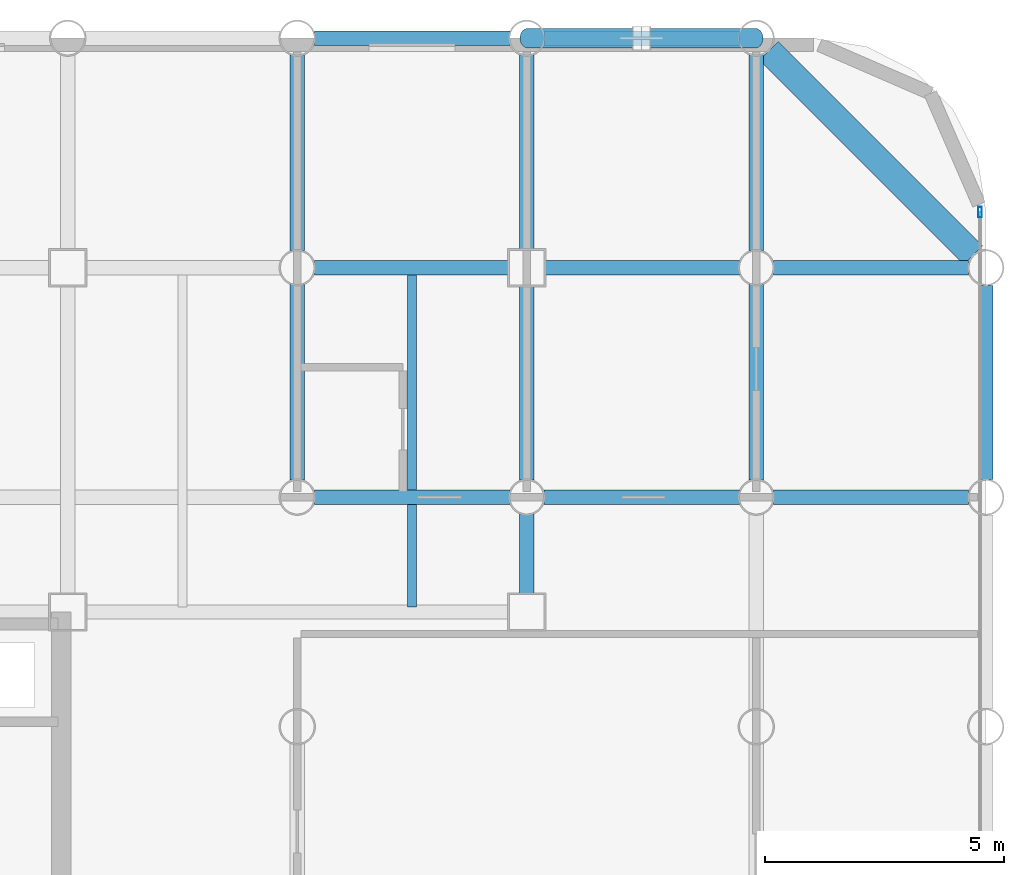
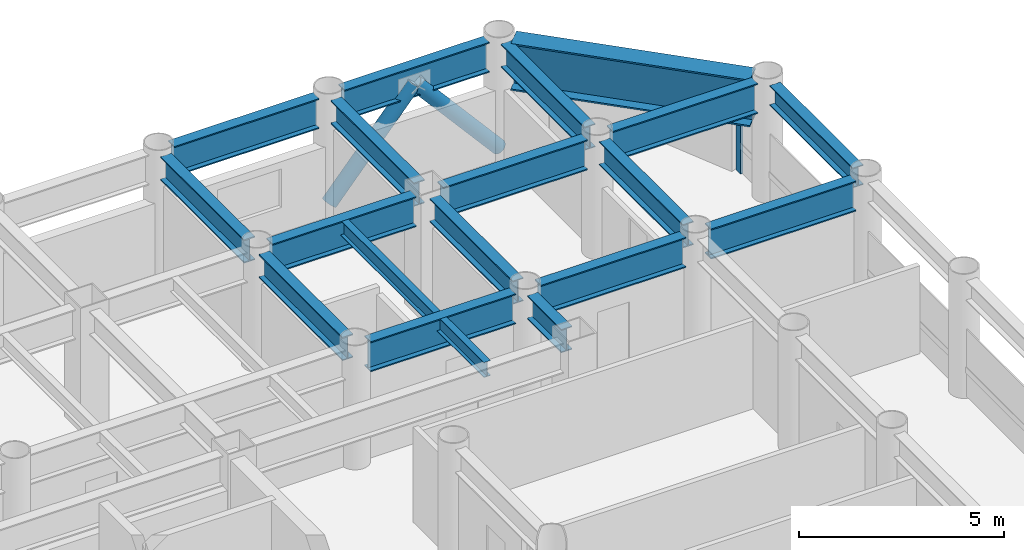
# One storey, part 13 of 19: 18 beams, 3 members, 1 element without a shape of its own.
"""IFC4 building model written with IfcOpenShell, lengths in metres."""

from ifc_helpers import new_model, si_unit, direction, frame, origin, origin_2d, place, context, subcontext, project, spatial, hollow_rectangle, hollow_circle, i_section, extrude, material, layer, layer_set, material_profile, profile_set, type_object, element, aggregate, save


model = new_model("IFC4")

# Units and contexts
model_context = context("Model", 3, precision=1e-05, world=origin(), true_north=direction((0.0, 1.0)))
body_context = subcontext(model_context, "Body", "Model", "MODEL_VIEW")
ifc_project = project(units=[si_unit("LENGTHUNIT", "METRE"), si_unit("AREAUNIT", "SQUARE_METRE"), si_unit("VOLUMEUNIT", "CUBIC_METRE"), si_unit("PLANEANGLEUNIT", "RADIAN"), si_unit("MASSUNIT", "GRAM", prefix="KILO")], contexts=[model_context])

# Site, building, storey
site_placement = place(None, origin())
site = spatial("IfcSite", under=ifc_project, at=site_placement, CompositionType="ELEMENT")
building_placement = place(site_placement, origin())
building = spatial("IfcBuilding", under=site, at=building_placement, Name="Kallvorn Hotel Tower", CompositionType="ELEMENT")
storey_placement = place(building_placement, frame((0.0, 0.0, 67.0)))
storey = spatial("IfcBuildingStorey", under=building, at=storey_placement, Name="L15", CompositionType="ELEMENT", Elevation=67.0)

# Beams
ifc_material_1 = material(Name="Structural steel S355JR", Category="steel")
ifc_material_profile_1 = material_profile(ifc_material_1, i_section(OverallWidth=0.300048828125, OverallDepth=0.60009765625, WebThickness=0.015380859375, FlangeThickness=0.030029296875, at=origin_2d()), Name="HE 600 B")
ifc_profile_set_1 = profile_set([ifc_material_profile_1], Name="Structural steel S355JR")
beam_type_1 = type_object("IfcBeamType", Name="BM_HE600B", PredefinedType="SPANDREL", material=ifc_profile_set_1)
beam_1_placement = place(storey_placement, frame((33.60009765625, 9.970947265625, 3.219970703125), z_axis=(0.0, 1.0, 0.0), x_axis=(-1.0, 0.0, 0.0)))
element("IfcBeam", 1, at=beam_1_placement, inside=storey, type_object=beam_type_1, Name="L16 Perimeter Spandrel 188", PredefinedType="SPANDREL", context=body_context, shape_type="SweptSolid", body=[
    extrude(i_section(OverallWidth=0.300048828125, OverallDepth=0.60009765625, WebThickness=0.015380859375, FlangeThickness=0.030029296875, at=origin_2d()), origin(), (0.0, 0.0, 1.0), 4.05810546875),
])
ifc_material_2 = material(Name="Structural steel S355JR", Category="steel")
ifc_material_profile_2 = material_profile(ifc_material_2, i_section(OverallWidth=0.300048828125, OverallDepth=0.699951171875, WebThickness=0.01708984375, FlangeThickness=0.031982421875, at=origin_2d()), Name="HE 700 B")
ifc_profile_set_2 = profile_set([ifc_material_profile_2], Name="Structural steel S355JR")
beam_type_2 = type_object("IfcBeamType", Name="BM_HE700B", PredefinedType="BEAM", material=ifc_profile_set_2)
for number, where, z_axis, x_axis, name in (
    (2, (19.199951171875, 9.9560546875, 3.169921875), (0.0, 1.0, 0.0), (-1.0, 0.0, 0.0), "L16 Primary Y-Girder 133"),
    (3, (19.199951171875, 14.756103515625, 3.169921875), (0.0, 1.0, 0.0), (-1.0, 0.0, 0.0), "L16 Primary Y-Girder 134"),
):
    element("IfcBeam", number, at=place(storey_placement, frame(where, z_axis=z_axis, x_axis=x_axis)), inside=storey, type_object=beam_type_2, Name=name, PredefinedType="BEAM", context=body_context, shape_type="SweptSolid", body=[
        extrude(i_section(OverallWidth=0.300048828125, OverallDepth=0.699951171875, WebThickness=0.01708984375, FlangeThickness=0.031982421875, at=origin_2d()), origin(), (0.0, 0.0, 1.0), 4.087890625),
    ])
beam_2_placement = place(storey_placement, frame((24.0, 7.574951171875, 3.169921875), z_axis=(0.0, 1.0, 0.0), x_axis=(-1.0, 0.0, 0.0)))
element("IfcBeam", 4, at=beam_2_placement, inside=storey, type_object=beam_type_2, Name="L16 Primary Y-Girder 139", PredefinedType="BEAM", context=body_context, shape_type="SweptSolid", body=[
    extrude(i_section(OverallWidth=0.300048828125, OverallDepth=0.699951171875, WebThickness=0.01708984375, FlangeThickness=0.031982421875, at=origin_2d()), origin(), (0.0, 0.0, 1.0), 1.6689453125),
])
beam_3_placement = place(storey_placement, frame((24.0, 9.9560546875, 3.169921875), z_axis=(0.0, 1.0, 0.0), x_axis=(-1.0, 0.0, 0.0)))
element("IfcBeam", 5, at=beam_3_placement, inside=storey, type_object=beam_type_2, Name="L16 Primary Y-Girder 140", PredefinedType="BEAM", context=body_context, shape_type="SweptSolid", body=[
    extrude(i_section(OverallWidth=0.300048828125, OverallDepth=0.699951171875, WebThickness=0.01708984375, FlangeThickness=0.031982421875, at=origin_2d()), origin(), (0.0, 0.0, 1.0), 4.06884765625),
])
beam_4_placement = place(storey_placement, frame((24.0, 14.77490234375, 3.169921875), z_axis=(0.0, 1.0, 0.0), x_axis=(-1.0, 0.0, 0.0)))
element("IfcBeam", 6, at=beam_4_placement, inside=storey, type_object=beam_type_2, Name="L16 Primary Y-Girder 141", PredefinedType="BEAM", context=body_context, shape_type="SweptSolid", body=[
    extrude(i_section(OverallWidth=0.300048828125, OverallDepth=0.699951171875, WebThickness=0.01708984375, FlangeThickness=0.031982421875, at=origin_2d()), origin(), (0.0, 0.0, 1.0), 4.069091796875),
])
for number, where, z_axis, x_axis, name in (
    (7, (28.800048828125, 9.9560546875, 3.169921875), (0.0, 1.0, 0.0), (-1.0, 0.0, 0.0), "L16 Primary Y-Girder 149"),
    (8, (28.800048828125, 14.756103515625, 3.169921875), (0.0, 1.0, 0.0), (-1.0, 0.0, 0.0), "L16 Primary Y-Girder 150"),
):
    element("IfcBeam", number, at=place(storey_placement, frame(where, z_axis=z_axis, x_axis=x_axis)), inside=storey, type_object=beam_type_2, Name=name, PredefinedType="BEAM", context=body_context, shape_type="SweptSolid", body=[
        extrude(i_section(OverallWidth=0.300048828125, OverallDepth=0.699951171875, WebThickness=0.01708984375, FlangeThickness=0.031982421875, at=origin_2d()), origin(), (0.0, 0.0, 1.0), 4.087890625),
    ])
ifc_material_3 = material(Name="Structural steel S355JR", Category="steel")
ifc_material_profile_3 = material_profile(ifc_material_3, i_section(OverallWidth=0.300048828125, OverallDepth=0.89990234375, WebThickness=0.0185546875, FlangeThickness=0.034912109375, at=origin_2d()), Name="HE 900 B")
ifc_profile_set_3 = profile_set([ifc_material_profile_3], Name="Structural steel S355JR")
beam_type_3 = type_object("IfcBeamType", Name="BM_HE900B", PredefinedType="BEAM", material=ifc_profile_set_3)
for number, where, z_axis, x_axis, name in (
    (9, (19.555908203125, 9.60009765625, 3.070068359375), (1.0, 0.0, 0.0), (0.0, 1.0, 0.0), "L16 Primary X-Girder 48"),
    (10, (24.35595703125, 9.60009765625, 3.070068359375), (1.0, 0.0, 0.0), (0.0, 1.0, 0.0), "L16 Primary X-Girder 49"),
):
    element("IfcBeam", number, at=place(storey_placement, frame(where, z_axis=z_axis, x_axis=x_axis)), inside=storey, type_object=beam_type_3, Name=name, PredefinedType="BEAM", context=body_context, shape_type="SweptSolid", body=[
        extrude(i_section(OverallWidth=0.300048828125, OverallDepth=0.89990234375, WebThickness=0.0185546875, FlangeThickness=0.034912109375, at=origin_2d()), origin(), (0.0, 0.0, 1.0), 4.088134765625),
    ])
beam_5_placement = place(storey_placement, frame((29.156005859375, 9.60009765625, 3.070068359375), z_axis=(1.0, 0.0, 0.0), x_axis=(0.0, 1.0, 0.0)))
element("IfcBeam", 11, at=beam_5_placement, inside=storey, type_object=beam_type_3, Name="L16 Primary X-Girder 50", PredefinedType="BEAM", context=body_context, shape_type="SweptSolid", body=[
    extrude(i_section(OverallWidth=0.300048828125, OverallDepth=0.89990234375, WebThickness=0.0185546875, FlangeThickness=0.034912109375, at=origin_2d()), origin(), (0.0, 0.0, 1.0), 4.087890625),
])
for number, where, z_axis, x_axis, name in (
    (12, (19.555908203125, 14.39990234375, 3.070068359375), (1.0, 0.0, 0.0), (0.0, 1.0, 0.0), "L16 Primary X-Girder 58"),
    (13, (24.375, 14.39990234375, 3.070068359375), (1.0, 0.0, 0.0), (0.0, 1.0, 0.0), "L16 Primary X-Girder 59"),
):
    element("IfcBeam", number, at=place(storey_placement, frame(where, z_axis=z_axis, x_axis=x_axis)), inside=storey, type_object=beam_type_3, Name=name, PredefinedType="BEAM", context=body_context, shape_type="SweptSolid", body=[
        extrude(i_section(OverallWidth=0.300048828125, OverallDepth=0.89990234375, WebThickness=0.0185546875, FlangeThickness=0.034912109375, at=origin_2d()), origin(), (0.0, 0.0, 1.0), 4.069091796875),
    ])
beam_6_placement = place(storey_placement, frame((29.156005859375, 14.39990234375, 3.070068359375), z_axis=(1.0, 0.0, 0.0), x_axis=(0.0, 1.0, 0.0)))
element("IfcBeam", 14, at=beam_6_placement, inside=storey, type_object=beam_type_3, Name="L16 Primary X-Girder 60", PredefinedType="BEAM", context=body_context, shape_type="SweptSolid", body=[
    extrude(i_section(OverallWidth=0.300048828125, OverallDepth=0.89990234375, WebThickness=0.0185546875, FlangeThickness=0.034912109375, at=origin_2d()), origin(), (0.0, 0.0, 1.0), 4.087890625),
])
for number, where, z_axis, x_axis, name in (
    (15, (19.555908203125, 19.199951171875, 3.070068359375), (1.0, 0.0, 0.0), (0.0, 1.0, 0.0), "L16 Primary X-Girder 71"),
    (16, (24.35595703125, 19.199951171875, 3.070068359375), (1.0, 0.0, 0.0), (0.0, 1.0, 0.0), "L16 Primary X-Girder 72"),
):
    element("IfcBeam", number, at=place(storey_placement, frame(where, z_axis=z_axis, x_axis=x_axis)), inside=storey, type_object=beam_type_3, Name=name, PredefinedType="BEAM", context=body_context, shape_type="SweptSolid", body=[
        extrude(i_section(OverallWidth=0.300048828125, OverallDepth=0.89990234375, WebThickness=0.0185546875, FlangeThickness=0.034912109375, at=origin_2d()), origin(), (0.0, 0.0, 1.0), 4.088134765625),
    ])
ifc_material_4 = material(Name="Structural steel S355JR", Category="steel")
ifc_material_profile_4 = material_profile(ifc_material_4, i_section(OverallWidth=0.18994140625, OverallDepth=0.449951171875, WebThickness=0.009521484375, FlangeThickness=0.0146484375, at=origin_2d()), Name="IPE 450")
ifc_profile_set_4 = profile_set([ifc_material_profile_4], Name="Structural steel S355JR")
beam_type_4 = type_object("IfcBeamType", Name="BM_IPE450", PredefinedType="JOIST", material=ifc_profile_set_4)
beam_7_placement = place(storey_placement, frame((21.60009765625, 7.300048828125, 3.294921875), z_axis=(0.0, 1.0, 0.0), x_axis=(-1.0, 0.0, 0.0)))
element("IfcBeam", 17, at=beam_7_placement, inside=storey, type_object=beam_type_4, Name="L16 Secondary Composite Joist 209", PredefinedType="JOIST", context=body_context, shape_type="SweptSolid", body=[
    extrude(i_section(OverallWidth=0.18994140625, OverallDepth=0.449951171875, WebThickness=0.009521484375, FlangeThickness=0.0146484375, at=origin_2d()), origin(), (0.0, 0.0, 1.0), 7.0),
])
ifc_material_5 = material(Name="Structural steel S355JR", Category="steel")
ifc_material_profile_5 = material_profile(ifc_material_5, i_section(OverallWidth=0.550048828125, OverallDepth=1.39990234375, WebThickness=0.02490234375, FlangeThickness=0.044921875, at=origin_2d()), Name="PG 1400x550x25x45")
ifc_profile_set_5 = profile_set([ifc_material_profile_5], Name="Structural steel S355JR")
beam_type_5 = type_object("IfcBeamType", Name="BM_PG_1400", PredefinedType="BEAM", material=ifc_profile_set_5)
beam_8_placement = place(storey_placement, frame((33.337646484375, 14.662353515625, 2.820068359375), z_axis=(-0.707106781187, 0.707106781187, 0.0), x_axis=(-0.707106781187, -0.707106781187, 0.0)))
element("IfcBeam", 18, at=beam_8_placement, inside=storey, type_object=beam_type_5, Name="L16 Rounded Corner Tie Beam 191", PredefinedType="BEAM", context=body_context, shape_type="SweptSolid", body=[
    extrude(i_section(OverallWidth=0.550048828125, OverallDepth=1.39990234375, WebThickness=0.02490234375, FlangeThickness=0.044921875, at=origin_2d()), origin(), (0.0, 0.0, 1.0), 6.04638671875),
])

# Curtain wall, member
ifc_material_6 = material(Name="Thermally broken black-anodised aluminium AA 6063-T6", Category="aluminium")
ifc_layer = layer(ifc_material_6, 0.199951171875)
ifc_layer_set = layer_set([ifc_layer], Name="CW_SYS_3_HOTEL_LOW")
curtain_wall_type = type_object("IfcCurtainWallType", Name="CW_SYS_3_HOTEL_LOW", PredefinedType="USERDEFINED", material=ifc_layer_set)
curtain_wall_placement = place(storey_placement, origin())
curtain_wall = element("IfcCurtainWall", 19, at=curtain_wall_placement, inside=storey, type_object=curtain_wall_type, Name="L15 Dark-Glass Curtain Wall CW-L15-EN", ObjectType="UNITISED CURTAIN WALL", PredefinedType="USERDEFINED")
ifc_material_7 = material(Name="Thermally broken black-anodised aluminium AA 6063-T6", Category="aluminium")
ifc_material_profile_6 = material_profile(ifc_material_7, hollow_rectangle(XDim=0.080078125, YDim=0.219970703125, WallThickness=0.0048828125, at=origin_2d()), Name="MUL 220x80")
ifc_profile_set_6 = profile_set([ifc_material_profile_6], Name="Thermally broken black-anodised aluminium AA 6063-T6")
member_type_1 = type_object("IfcMemberType", Name="CW_MULLION_220x80", PredefinedType="MULLION", material=ifc_profile_set_6)
member_placement = place(storey_placement, frame((33.47998046875, 15.56005859375, 0.02001953125), z_axis=(0.0, 0.0, 1.0), x_axis=(1.0, 0.0, 0.0)))
member = element("IfcMember", 20, at=member_placement, type_object=member_type_1, Name="CW-L15-EN Mullion 01", PredefinedType="MULLION", context=body_context, shape_type="SweptSolid", body=[
    extrude(hollow_rectangle(XDim=0.080078125, YDim=0.219970703125, WallThickness=0.0048828125, at=origin_2d()), origin(), (0.0, 0.0, 1.0), 2.080078125),
])
aggregate(curtain_wall, [member])

# Members
ifc_material_8 = material(Name="Structural steel S355J2H", Category="steel")
ifc_material_profile_7 = material_profile(ifc_material_8, hollow_circle(Radius=0.203125, WallThickness=0.01611328125, at=origin_2d()), Name="CHS 406.4x16")
ifc_profile_set_7 = profile_set([ifc_material_profile_7], Name="Structural steel S355J2H")
member_type_2 = type_object("IfcMemberType", Name="MBR_EXO_CHS406", PredefinedType="BRACE", material=ifc_profile_set_7)
for number, where, z_axis, x_axis, name in (
    (21, (24.01318359375, 19.199951171875, 0.195068359375), (0.65346062529, 0.0, 0.756960508346), (0.0, 1.0, 0.0), "L15 Exoskeleton K-Brace N2A"),
    (22, (28.786865234375, 19.199951171875, 0.195068359375), (-0.65346062529, 0.0, 0.756960508346), (0.0, -1.0, 0.0), "L15 Exoskeleton K-Brace N2B"),
):
    element("IfcMember", number, at=place(storey_placement, frame(where, z_axis=z_axis, x_axis=x_axis)), inside=storey, type_object=member_type_2, Name=name, PredefinedType="BRACE", context=body_context, shape_type="SweptSolid", body=[
        extrude(hollow_circle(Radius=0.203125, WallThickness=0.01611328125, at=origin_2d()), origin(), (0.0, 0.0, 1.0), 3.632568359375),
    ])

save(model, "model.ifc")
